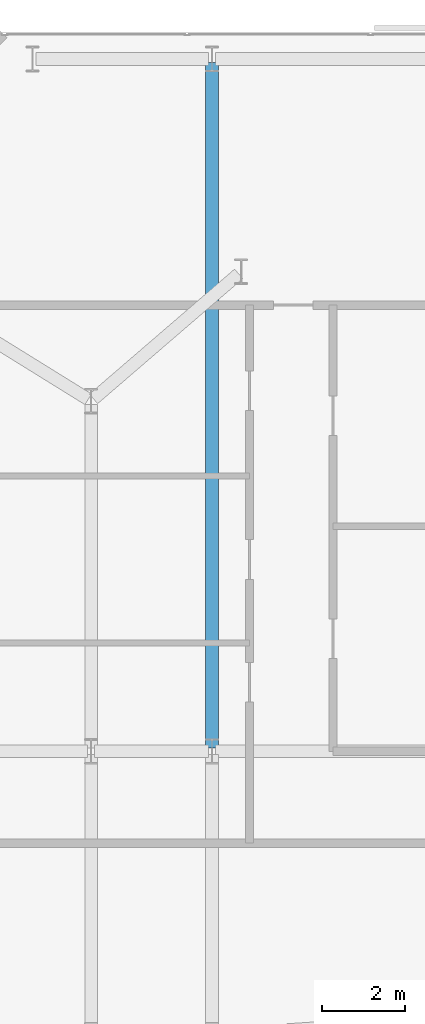
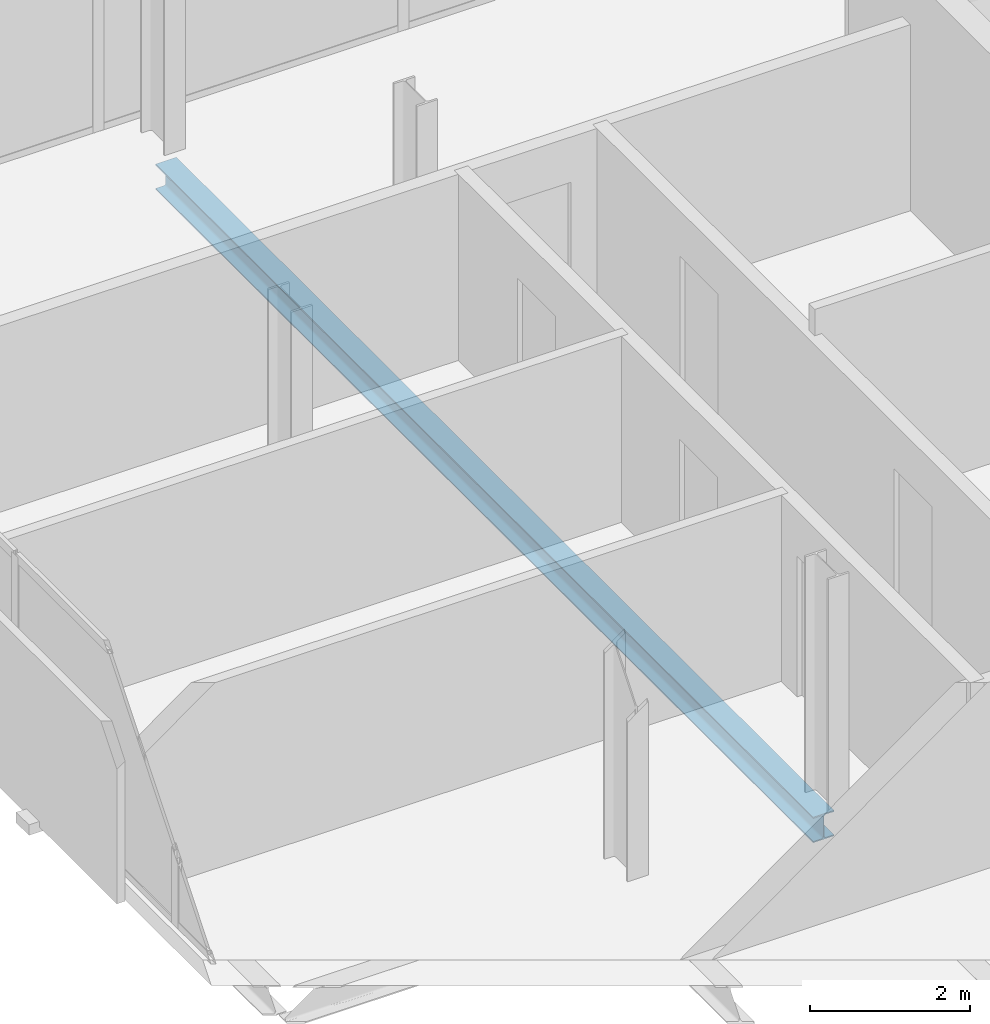
# One storey, part 18 of 32: 1 beam.
"""IFC4 building model written with IfcOpenShell, lengths in metres."""

from ifc_helpers import new_model, si_unit, direction, frame, origin, origin_2d, place, context, subcontext, project, spatial, i_section, extrude, material, material_profile, profile_set, type_object, element, save


model = new_model("IFC4")

# Units and contexts
model_context = context("Model", 3, precision=1e-05, world=origin(), true_north=direction((0.0, 1.0)))
body_context = subcontext(model_context, "Body", "Model", "MODEL_VIEW")
ifc_project = project(units=[si_unit("LENGTHUNIT", "METRE"), si_unit("AREAUNIT", "SQUARE_METRE"), si_unit("VOLUMEUNIT", "CUBIC_METRE"), si_unit("PLANEANGLEUNIT", "RADIAN"), si_unit("MASSUNIT", "GRAM", prefix="KILO")], contexts=[model_context])

# Site, building, storey
site_placement = place(None, origin())
site = spatial("IfcSite", under=ifc_project, at=site_placement, CompositionType="ELEMENT")
building_placement = place(site_placement, origin())
building = spatial("IfcBuilding", under=site, at=building_placement, Name="Catumbela Crestline Tower", CompositionType="ELEMENT")
storey_placement = place(building_placement, frame((0.0, 0.0, 140.4)))
storey = spatial("IfcBuildingStorey", under=building, at=storey_placement, Name="L36", CompositionType="ELEMENT", Elevation=140.4)

# Beam
ifc_material = material(Name="Structural steel S355J2", Category="steel")
ifc_material_profile = material_profile(ifc_material, i_section(OverallWidth=0.3, OverallDepth=0.39, WebThickness=0.011, FlangeThickness=0.019, FilletRadius=0.027, at=origin_2d()), Name="HEA 400")
ifc_profile_set = profile_set([ifc_material_profile], Name="Structural steel S355J2")
beam_type = type_object("IfcBeamType", Name="BG-HEA400", PredefinedType="BEAM", material=ifc_profile_set)
beam_placement = place(storey_placement, frame((8.5, 30.88, -0.455), z_axis=(0.0, 1.0, 0.0), x_axis=(-1.0, 0.0, 0.0)))
element("IfcBeam", 1, at=beam_placement, inside=storey, type_object=beam_type, Name="L36 Beam BM-L36-SN27", PredefinedType="BEAM", context=body_context, shape_type="SweptSolid", body=[
    extrude(i_section(OverallWidth=0.3, OverallDepth=0.39, WebThickness=0.011, FlangeThickness=0.019, FilletRadius=0.027, at=origin_2d()), origin(), (0.0, 0.0, 1.0), 16.44),
])

save(model, "model.ifc")
